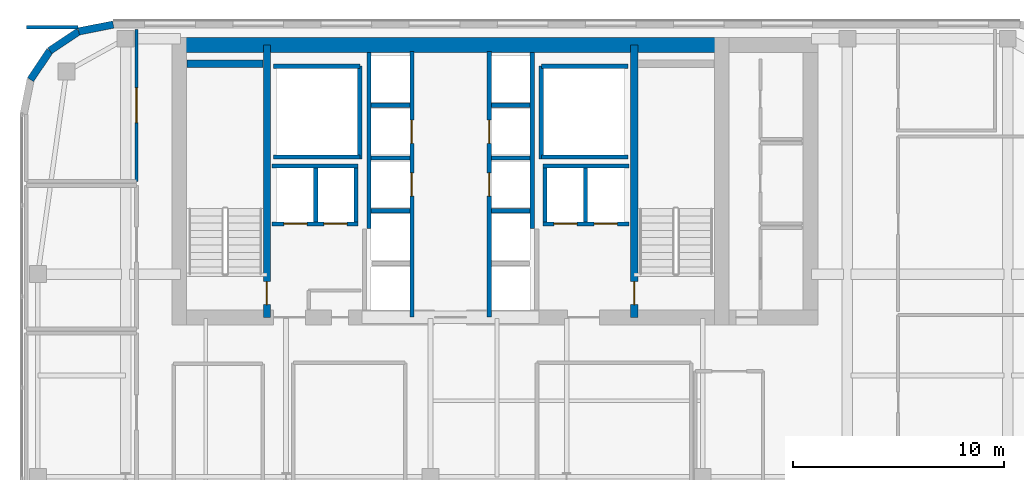
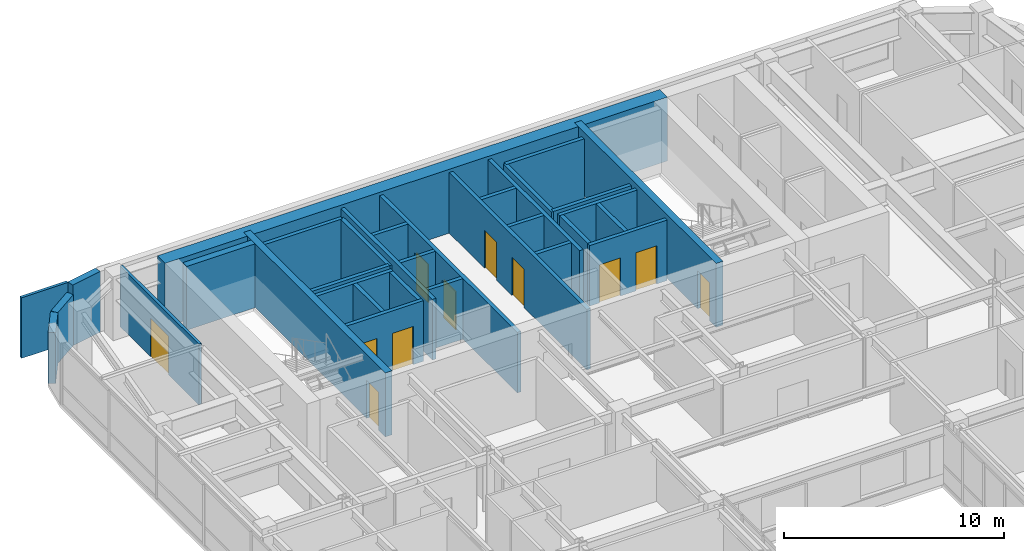
# One storey, part 21 of 28: 33 walls, 11 doors, 11 openings.
"""IFC4 building model written with IfcOpenShell, lengths in metres."""

from ifc_helpers import new_model, si_unit, direction, frame, frame_2d, origin, place, context, subcontext, project, spatial, rectangle, extrude, source, transform, mapped, material, layer, layer_set, type_object, type_shapes, element, fill, save


model = new_model("IFC4")

# Units and contexts
model_context = context("Model", 3, precision=1e-05, world=origin(), true_north=direction((0.0, 1.0)))
body_context = subcontext(model_context, "Body", "Model", "MODEL_VIEW")
ifc_project = project(units=[si_unit("LENGTHUNIT", "METRE"), si_unit("AREAUNIT", "SQUARE_METRE"), si_unit("VOLUMEUNIT", "CUBIC_METRE"), si_unit("PLANEANGLEUNIT", "RADIAN"), si_unit("MASSUNIT", "GRAM", prefix="KILO")], contexts=[model_context])

# Site, building, storey
site_placement = place(None, origin())
site = spatial("IfcSite", under=ifc_project, at=site_placement, CompositionType="ELEMENT")
building_placement = place(site_placement, origin())
building = spatial("IfcBuilding", under=site, at=building_placement, Name="Tolvann Quenvar Hotel", CompositionType="ELEMENT")
storey_placement = place(building_placement, frame((0.0, 0.0, 198.199951171875)))
storey = spatial("IfcBuildingStorey", under=building, at=storey_placement, Name="L52", CompositionType="ELEMENT", Elevation=198.199951171875)

# Wall
ifc_material_1 = material(Name="Concrete S65 (65 MPa)", Category="concrete")
ifc_layer_1 = layer(ifc_material_1, 0.699951171875)
ifc_layer_set_1 = layer_set([ifc_layer_1], Name="Concrete S65 (65 MPa)")
wall_type_1 = type_object("IfcWallType", Name="WALL_CORE_700", PredefinedType="SHEAR", material=ifc_layer_set_1)
wall_1_placement = place(storey_placement, frame((9.800048828125, 44.85009765625, 0.0), z_axis=(0.0, 0.0, 1.0), x_axis=(1.0, 0.0, 0.0)))
element("IfcWall", 1, at=wall_1_placement, inside=storey, type_object=wall_type_1, Name="Rear Core N Shear Wall (L52)", PredefinedType="SHEAR", context=body_context, shape_type="SweptSolid", body=[
    extrude(rectangle(XDim=26.39990234375, YDim=0.699951171875, at=frame_2d((13.199951171875, 0.0))), origin(), (0.0, 0.0, 1.0), 3.550048828125),
])

# Wall, opening, door
ifc_layer_2 = layer(ifc_material_1, 0.35009765625)
ifc_layer_set_2 = layer_set([ifc_layer_2], Name="Concrete S65 (65 MPa)")
wall_type_2 = type_object("IfcWallType", Name="WALL_CORE_INT_350", PredefinedType="SHEAR", material=ifc_layer_set_2)
wall_2_placement = place(storey_placement, frame((14.300048828125, 31.949951171875, 0.0), z_axis=(0.0, 0.0, 1.0), x_axis=(0.0, 1.0, 0.0)))
wall_2 = element("IfcWall", 2, at=wall_2_placement, inside=storey, type_object=wall_type_2, Name="Core Internal Web Shear Wall WEB-W (L52)", PredefinedType="SHEAR", context=body_context, shape_type="SweptSolid", body=[
    extrude(rectangle(XDim=12.900146484375, YDim=0.35009765625, at=frame_2d((6.4501953125, 0.0))), origin(), (0.0, 0.0, 1.0), 3.550048828125),
])
opening_1_placement = place(wall_2_placement, frame((0.60009765625, 0.0, 0.0)))
opening_1 = element("IfcOpeningElement", 3, at=opening_1_placement, cuts=wall_2, Name="Opening FD-120", PredefinedType="OPENING", context=body_context, shape_type="SweptSolid", body=[
    extrude(rectangle(XDim=1.10009765625, YDim=2.1201171875, at=frame_2d((0.550048828125, 1.06005859375))), frame((0.0, 0.18505859375, 0.0), z_axis=(0.0, -1.0, 0.0), x_axis=(1.0, 0.0, 0.0)), (0.0, 0.0, 1.0), 0.3701171875),
])
ifc_material_2 = material(Name="Pressed galvanised steel fire-rated door set", Category="steel")
door_type_1 = type_object("IfcDoorType", Name="DOOR_FIRE_STAIR_1100", OperationType="NOTDEFINED", PredefinedType="DOOR", material=ifc_material_2)
shared_shape_1 = source(origin(), body_context, "Body", "SweptSolid", [
    extrude(rectangle(XDim=1.10009765625, YDim=2.1201171875, at=frame_2d((0.550048828125, 1.06005859375))), frame((0.0, 0.02490234375, 0.0), z_axis=(0.0, -1.0, 0.0), x_axis=(1.0, 0.0, 0.0)), (0.0, 0.0, 1.0), 0.050048828125),
])
type_shapes(door_type_1, [shared_shape_1])
door_1_placement = place(opening_1_placement, origin())
door_1 = element("IfcDoor", 4, at=door_1_placement, inside=storey, type_object=door_type_1, Name="Exit Stair ST-C1 Fire Door (L52)", OperationType="SINGLE_SWING_RIGHT", OverallHeight=2.1201171875, OverallWidth=1.10009765625, PredefinedType="DOOR", context=body_context, shape_type="MappedRepresentation", body=[
    mapped(shared_shape_1, transform((0.0, 0.0, 0.0), x_axis=(1.0, 0.0, 0.0), y_axis=(0.0, 1.0, 0.0), z_axis=(0.0, 0.0, 1.0), scale=1.0)),
])
fill(opening_1, door_1)

wall_3_placement = place(storey_placement, frame((31.699951171875, 31.949951171875, 0.0), z_axis=(0.0, 0.0, 1.0), x_axis=(0.0, 1.0, 0.0)))
wall_3 = element("IfcWall", 5, at=wall_3_placement, inside=storey, type_object=wall_type_2, Name="Core Internal Web Shear Wall WEB-E (L52)", PredefinedType="SHEAR", context=body_context, shape_type="SweptSolid", body=[
    extrude(rectangle(XDim=12.900146484375, YDim=0.35009765625, at=frame_2d((6.4501953125, 0.0))), origin(), (0.0, 0.0, 1.0), 3.550048828125),
])
opening_2_placement = place(wall_3_placement, frame((1.7001953125, 0.0, 0.0), z_axis=(0.0, 0.0, 1.0), x_axis=(-1.0, 0.0, 0.0)))
opening_2 = element("IfcOpeningElement", 6, at=opening_2_placement, cuts=wall_3, Name="Opening FD-120", PredefinedType="OPENING", context=body_context, shape_type="SweptSolid", body=[
    extrude(rectangle(XDim=1.10009765625, YDim=2.1201171875, at=frame_2d((0.550048828125, 1.06005859375))), frame((0.0, 0.18505859375, 0.0), z_axis=(0.0, -1.0, 0.0), x_axis=(1.0, 0.0, 0.0)), (0.0, 0.0, 1.0), 0.3701171875),
])
door_2_placement = place(opening_2_placement, origin())
door_2 = element("IfcDoor", 7, at=door_2_placement, inside=storey, type_object=door_type_1, Name="Exit Stair ST-C2 Fire Door (L52)", OperationType="SINGLE_SWING_LEFT", OverallHeight=2.1201171875, OverallWidth=1.10009765625, PredefinedType="DOOR", context=body_context, shape_type="MappedRepresentation", body=[
    mapped(shared_shape_1, transform((0.0, 0.0, 0.0), x_axis=(1.0, 0.0, 0.0), y_axis=(0.0, 1.0, 0.0), z_axis=(0.0, 0.0, 1.0), scale=1.0)),
])
fill(opening_2, door_2)

# Walls
wall_4_placement = place(storey_placement, frame((10.52001953125, 43.97509765625, 0.0), z_axis=(0.0, 0.0, 1.0), x_axis=(1.0, 0.0, 0.0)))
element("IfcWall", 8, at=wall_4_placement, inside=storey, type_object=wall_type_2, Name="Core Stair North Closing Shear Wall STC1-N (L52)", PredefinedType="SHEAR", context=body_context, shape_type="SweptSolid", body=[
    extrude(rectangle(XDim=3.60009765625, YDim=0.35009765625, at=frame_2d((1.800048828125, 0.0))), origin(), (0.0, 0.0, 1.0), 3.550048828125),
])
ifc_material_3 = material(Name="Kiln-fired red and buff architectural clay brickwork and terracotta masonry", Category="masonry")
ifc_layer_3 = layer(ifc_material_3, 0.35009765625)
ifc_layer_set_3 = layer_set([ifc_layer_3], Name="Kiln-fired red and buff architectural clay brickwork and terracotta masonry")
wall_type_3 = type_object("IfcWallType", Name="WALL_EXT_BRICK_350", PredefinedType="SOLIDWALL", material=ifc_layer_set_3)
wall_5_placement = place(storey_placement, frame((7.01708984375, 45.824951171875, 0.0), z_axis=(0.0, 0.0, 1.0), x_axis=(-0.980788844421, -0.195072403631, 0.0)))
element("IfcWall", 9, at=wall_5_placement, inside=storey, type_object=wall_type_3, Name="Exterior Chicago Brick Wall L52-E19", PredefinedType="SOLIDWALL", context=body_context, shape_type="SweptSolid", body=[
    extrude(rectangle(XDim=1.66455078125, YDim=0.35009765625, at=frame_2d((0.832275390625, 0.0))), origin(), (0.0, 0.0, 1.0), 3.3701171875),
])
for number, where, z_axis, x_axis, name in (
    (10, (5.384521484375, 45.500244140625, 0.0), (0.0, 0.0, 1.0), (-0.831502623162, -0.555520825599, 0.0), "Exterior Chicago Brick Wall L52-E20"),
    (11, (4.014892578125, 44.585205078125, 0.0), (0.0, 0.0, 1.0), (-0.555623290322, -0.831434158098, 0.0), "Exterior Chicago Brick Wall L52-E21"),
):
    element("IfcWall", number, at=place(storey_placement, frame(where, z_axis=z_axis, x_axis=x_axis)), inside=storey, type_object=wall_type_3, Name=name, PredefinedType="SOLIDWALL", context=body_context, shape_type="SweptSolid", body=[
        extrude(rectangle(XDim=1.647216796875, YDim=0.35009765625, at=frame_2d((0.82373046875, 0.0))), origin(), (0.0, 0.0, 1.0), 2.83203125),
    ])
ifc_material_4 = material(Name="Acoustic twin-stud fire-rated gypsum plasterboard partition")
ifc_layer_4 = layer(ifc_material_4, 0.14990234375)
ifc_layer_set_4 = layer_set([ifc_layer_4], Name="Acoustic twin-stud fire-rated gypsum plasterboard partition")
wall_type_4 = type_object("IfcWallType", Name="WALL_PART_SUITE_150", PredefinedType="PARTITIONING", material=ifc_layer_set_4)
wall_6_placement = place(storey_placement, frame((2.89990234375, 45.699951171875, 0.0), z_axis=(0.0, 0.0, 1.0), x_axis=(1.0, 0.0, 0.0)))
element("IfcWall", 12, at=wall_6_placement, inside=storey, type_object=wall_type_4, Name="Interior Partition PT-SPC-L52-TEA-N", PredefinedType="PARTITIONING", context=body_context, shape_type="SweptSolid", body=[
    extrude(rectangle(XDim=2.445068359375, YDim=0.14990234375, at=frame_2d((1.22265625, 0.0))), origin(), (0.0, 0.0, 1.0), 3.3701171875),
])

# Wall, opening, door
wall_7_placement = place(storey_placement, frame((8.1201171875, 38.39990234375, 0.0), z_axis=(0.0, 0.0, 1.0), x_axis=(0.0, 1.0, 0.0)))
wall_7 = element("IfcWall", 13, at=wall_7_placement, inside=storey, type_object=wall_type_4, Name="Interior Partition PT-SPC-L52-TEA-E", PredefinedType="PARTITIONING", context=body_context, shape_type="SweptSolid", body=[
    extrude(rectangle(XDim=7.195068359375, YDim=0.14990234375, at=frame_2d((3.59765625, 0.0))), origin(), (0.0, 0.0, 1.0), 3.3701171875),
])
opening_3_placement = place(wall_7_placement, frame((2.7724609375, 0.0, 0.0)))
opening_3 = element("IfcOpeningElement", 14, at=opening_3_placement, cuts=wall_7, Name="Opening AD-01", PredefinedType="OPENING", context=body_context, shape_type="SweptSolid", body=[
    extrude(rectangle(XDim=1.64990234375, YDim=2.14990234375, at=frame_2d((0.824951171875, 1.074951171875))), frame((0.0, 0.0849609375, 0.0), z_axis=(0.0, -1.0, 0.0), x_axis=(1.0, 0.0, 0.0)), (0.0, 0.0, 1.0), 0.169921875),
])
ifc_material_5 = material(Name="Solid-core American oak acoustic fire door leaf in steel frame", Category="steel")
door_type_2 = type_object("IfcDoorType", Name="DOOR_SALON_1650", OperationType="NOTDEFINED", PredefinedType="DOOR", material=ifc_material_5)
shared_shape_2 = source(origin(), body_context, "Body", "SweptSolid", [
    extrude(rectangle(XDim=1.64990234375, YDim=2.14990234375, at=frame_2d((0.824951171875, 1.074951171875))), frame((0.0, 0.02490234375, 0.0), z_axis=(0.0, -1.0, 0.0), x_axis=(1.0, 0.0, 0.0)), (0.0, 0.0, 1.0), 0.050048828125),
])
type_shapes(door_type_2, [shared_shape_2])
door_3_placement = place(opening_3_placement, origin())
door_3 = element("IfcDoor", 15, at=door_3_placement, inside=storey, type_object=door_type_2, Name="Interior Door DOOR-SPC-L52-TEA", OperationType="DOUBLE_DOOR_SINGLE_SWING", OverallHeight=2.14990234375, OverallWidth=1.64990234375, PredefinedType="DOOR", context=body_context, shape_type="MappedRepresentation", body=[
    mapped(shared_shape_2, transform((0.0, 0.0, 0.0), x_axis=(1.0, 0.0, 0.0), y_axis=(0.0, 1.0, 0.0), z_axis=(0.0, 0.0, 1.0), scale=1.0)),
])
fill(opening_3, door_3)

# Walls
ifc_material_6 = material(Name="Concrete N40 (40 MPa)", Category="concrete")
ifc_layer_5 = layer(ifc_material_6, 0.199951171875)
ifc_layer_set_5 = layer_set([ifc_layer_5], Name="Concrete N40 (40 MPa)")
wall_type_5 = type_object("IfcWallType", Name="WALL_SHAFT_200", PredefinedType="SOLIDWALL", material=ifc_layer_set_5)
wall_8_placement = place(storey_placement, frame((18.699951171875, 39.449951171875, 0.0), z_axis=(0.0, 0.0, 1.0), x_axis=(0.0, 1.0, 0.0)))
element("IfcWall", 16, at=wall_8_placement, inside=storey, type_object=wall_type_5, Name="Service Riser W Shaft Wall IN (L52)", PredefinedType="SOLIDWALL", context=body_context, shape_type="SweptSolid", body=[
    extrude(rectangle(XDim=4.400146484375, YDim=0.199951171875, at=frame_2d((2.2001953125, 0.0))), origin(), (0.0, 0.0, 1.0), 3.3701171875),
])
for number, where, z_axis, x_axis, name in (
    (17, (14.60009765625, 39.550048828125, 0.0), (0.0, 0.0, 1.0), (1.0, 0.0, 0.0), "Service Riser W Shaft Wall S (L52)"),
    (18, (14.60009765625, 43.85009765625, 0.0), (0.0, 0.0, 1.0), (1.0, 0.0, 0.0), "Service Riser W Shaft Wall N (L52)"),
):
    element("IfcWall", number, at=place(storey_placement, frame(where, z_axis=z_axis, x_axis=x_axis)), inside=storey, type_object=wall_type_5, Name=name, PredefinedType="SOLIDWALL", context=body_context, shape_type="SweptSolid", body=[
        extrude(rectangle(XDim=4.099853515625, YDim=0.199951171875, at=frame_2d((2.0498046875, 0.0))), origin(), (0.0, 0.0, 1.0), 3.3701171875),
    ])
wall_9_placement = place(storey_placement, frame((27.300048828125, 39.449951171875, 0.0), z_axis=(0.0, 0.0, 1.0), x_axis=(0.0, 1.0, 0.0)))
element("IfcWall", 19, at=wall_9_placement, inside=storey, type_object=wall_type_5, Name="Service Riser E Shaft Wall IN (L52)", PredefinedType="SOLIDWALL", context=body_context, shape_type="SweptSolid", body=[
    extrude(rectangle(XDim=4.400146484375, YDim=0.199951171875, at=frame_2d((2.2001953125, 0.0))), origin(), (0.0, 0.0, 1.0), 3.3701171875),
])
for number, where, z_axis, x_axis, name in (
    (20, (27.300048828125, 39.550048828125, 0.0), (0.0, 0.0, 1.0), (1.0, 0.0, 0.0), "Service Riser E Shaft Wall S (L52)"),
    (21, (27.300048828125, 43.85009765625, 0.0), (0.0, 0.0, 1.0), (1.0, 0.0, 0.0), "Service Riser E Shaft Wall N (L52)"),
):
    element("IfcWall", number, at=place(storey_placement, frame(where, z_axis=z_axis, x_axis=x_axis)), inside=storey, type_object=wall_type_5, Name=name, PredefinedType="SOLIDWALL", context=body_context, shape_type="SweptSolid", body=[
        extrude(rectangle(XDim=4.099853515625, YDim=0.199951171875, at=frame_2d((2.0498046875, 0.0))), origin(), (0.0, 0.0, 1.0), 3.3701171875),
    ])

# Wall, openings, doors
wall_10_placement = place(storey_placement, frame((21.169921875, 31.9599609375, 0.0), z_axis=(0.0, 0.0, 1.0), x_axis=(0.0, 1.0, 0.0)))
wall_10 = element("IfcWall", 22, at=wall_10_placement, inside=storey, type_object=wall_type_5, Name="Lift Bank E21.1C1 Hoistway Front Wall (L52)", PredefinedType="SOLIDWALL", context=body_context, shape_type="SweptSolid", body=[
    extrude(rectangle(XDim=12.580078125, YDim=0.199951171875, at=frame_2d((6.2900390625, 0.0))), origin(), (0.0, 0.0, 1.0), 3.3701171875),
])
opening_4_placement = place(wall_10_placement, frame((5.739990234375, 0.0, 0.0)))
opening_4 = element("IfcOpeningElement", 23, at=opening_4_placement, cuts=wall_10, Name="Opening LD-01", PredefinedType="OPENING", context=body_context, shape_type="SweptSolid", body=[
    extrude(rectangle(XDim=1.10009765625, YDim=2.1201171875, at=frame_2d((0.550048828125, 1.06005859375))), frame((0.0, 0.10986328125, 0.0), z_axis=(0.0, -1.0, 0.0), x_axis=(1.0, 0.0, 0.0)), (0.0, 0.0, 1.0), 0.219970703125),
])
opening_5_placement = place(wall_10_placement, frame((8.239990234375, 0.0, 0.0)))
opening_5 = element("IfcOpeningElement", 24, at=opening_5_placement, cuts=wall_10, Name="Opening LD-01", PredefinedType="OPENING", context=body_context, shape_type="SweptSolid", body=[
    extrude(rectangle(XDim=1.10009765625, YDim=2.1201171875, at=frame_2d((0.550048828125, 1.06005859375))), frame((0.0, 0.10986328125, 0.0), z_axis=(0.0, -1.0, 0.0), x_axis=(1.0, 0.0, 0.0)), (0.0, 0.0, 1.0), 0.219970703125),
])
ifc_material_7 = material(Name="Brushed 316 stainless steel automatic sliding lift landing door", Category="steel")
door_type_3 = type_object("IfcDoorType", Name="DOOR_LIFT_SLIDE_1100", OperationType="NOTDEFINED", PredefinedType="DOOR", material=ifc_material_7)
shared_shape_3 = source(origin(), body_context, "Body", "SweptSolid", [
    extrude(rectangle(XDim=1.10009765625, YDim=2.1201171875, at=frame_2d((0.550048828125, 1.06005859375))), frame((0.0, 0.02490234375, 0.0), z_axis=(0.0, -1.0, 0.0), x_axis=(1.0, 0.0, 0.0)), (0.0, 0.0, 1.0), 0.050048828125),
])
type_shapes(door_type_3, [shared_shape_3])
door_4_placement = place(opening_4_placement, origin())
door_4 = element("IfcDoor", 25, at=door_4_placement, inside=storey, type_object=door_type_3, Name="Lift PM-1 Sliding Landing Door (L52)", OperationType="SLIDING_TO_RIGHT", OverallHeight=2.1201171875, OverallWidth=1.10009765625, PredefinedType="DOOR", context=body_context, shape_type="MappedRepresentation", body=[
    mapped(shared_shape_3, transform((0.0, 0.0, 0.0), x_axis=(1.0, 0.0, 0.0), y_axis=(0.0, 1.0, 0.0), z_axis=(0.0, 0.0, 1.0), scale=1.0)),
])
fill(opening_4, door_4)
door_5_placement = place(opening_5_placement, origin())
door_5 = element("IfcDoor", 26, at=door_5_placement, inside=storey, type_object=door_type_3, Name="Lift PM-2 Sliding Landing Door (L52)", OperationType="SLIDING_TO_LEFT", OverallHeight=2.1201171875, OverallWidth=1.10009765625, PredefinedType="DOOR", context=body_context, shape_type="MappedRepresentation", body=[
    mapped(shared_shape_3, transform((0.0, 0.0, 0.0), x_axis=(1.0, 0.0, 0.0), y_axis=(0.0, 1.0, 0.0), z_axis=(0.0, 0.0, 1.0), scale=1.0)),
])
fill(opening_5, door_5)

# Walls
wall_11_placement = place(storey_placement, frame((19.1298828125, 36.159912109375, 0.0), z_axis=(0.0, 0.0, 1.0), x_axis=(0.0, 1.0, 0.0)))
element("IfcWall", 27, at=wall_11_placement, inside=storey, type_object=wall_type_5, Name="Lift Bank E21.1C1 Hoistway Rear Wall (L52)", PredefinedType="SOLIDWALL", context=body_context, shape_type="SweptSolid", body=[
    extrude(rectangle(XDim=8.336181640625, YDim=0.199951171875, at=frame_2d((4.16796875, 0.0))), origin(), (0.0, 0.0, 1.0), 3.3701171875),
])
for number, where, z_axis, x_axis, name in (
    (28, (19.22998046875, 37.0, 0.0), (0.0, 0.0, 1.0), (1.0, 0.0, 0.0), "Lift Bank E21.1C1 Divider Wall 2 (L52)"),
    (29, (19.22998046875, 39.5, 0.0), (0.0, 0.0, 1.0), (1.0, 0.0, 0.0), "Lift Bank E21.1C1 Divider Wall 3 (L52)"),
    (30, (19.22998046875, 42.0, 0.0), (0.0, 0.0, 1.0), (1.0, 0.0, 0.0), "Lift Bank E21.1C1 Divider Wall 4 (L52)"),
):
    element("IfcWall", number, at=place(storey_placement, frame(where, z_axis=z_axis, x_axis=x_axis)), inside=storey, type_object=wall_type_5, Name=name, PredefinedType="SOLIDWALL", context=body_context, shape_type="SweptSolid", body=[
        extrude(rectangle(XDim=1.840087890625, YDim=0.199951171875, at=frame_2d((0.919921875, 0.0))), origin(), (0.0, 0.0, 1.0), 3.3701171875),
    ])

# Wall, openings, doors
wall_12_placement = place(storey_placement, frame((27.375, 36.3798828125, 0.0), z_axis=(0.0, 0.0, 1.0), x_axis=(1.0, 0.0, 0.0)))
wall_12 = element("IfcWall", 31, at=wall_12_placement, inside=storey, type_object=wall_type_5, Name="Lift Bank SEC1 Hoistway Front Wall (L52)", PredefinedType="SOLIDWALL", context=body_context, shape_type="SweptSolid", body=[
    extrude(rectangle(XDim=4.074951171875, YDim=0.199951171875, at=frame_2d((2.03759765625, 0.0))), origin(), (0.0, 0.0, 1.0), 3.3701171875),
])
opening_6_placement = place(wall_12_placement, frame((0.52490234375, 0.0, 0.0)))
opening_6 = element("IfcOpeningElement", 32, at=opening_6_placement, cuts=wall_12, Name="Opening LD-01", PredefinedType="OPENING", context=body_context, shape_type="SweptSolid", body=[
    extrude(rectangle(XDim=1.10009765625, YDim=2.1201171875, at=frame_2d((0.550048828125, 1.06005859375))), frame((0.0, 0.10986328125, 0.0), z_axis=(0.0, -1.0, 0.0), x_axis=(1.0, 0.0, 0.0)), (0.0, 0.0, 1.0), 0.219970703125),
])
opening_7_placement = place(wall_12_placement, frame((2.425048828125, 0.0, 0.0)))
opening_7 = element("IfcOpeningElement", 33, at=opening_7_placement, cuts=wall_12, Name="Opening LD-01", PredefinedType="OPENING", context=body_context, shape_type="SweptSolid", body=[
    extrude(rectangle(XDim=1.10009765625, YDim=2.1201171875, at=frame_2d((0.550048828125, 1.06005859375))), frame((0.0, 0.10986328125, 0.0), z_axis=(0.0, -1.0, 0.0), x_axis=(1.0, 0.0, 0.0)), (0.0, 0.0, 1.0), 0.219970703125),
])
door_6_placement = place(opening_6_placement, origin())
door_6 = element("IfcDoor", 34, at=door_6_placement, inside=storey, type_object=door_type_3, Name="Lift SV-2 Sliding Landing Door (L52)", OperationType="SLIDING_TO_LEFT", OverallHeight=2.1201171875, OverallWidth=1.10009765625, PredefinedType="DOOR", context=body_context, shape_type="MappedRepresentation", body=[
    mapped(shared_shape_3, transform((0.0, 0.0, 0.0), x_axis=(1.0, 0.0, 0.0), y_axis=(0.0, 1.0, 0.0), z_axis=(0.0, 0.0, 1.0), scale=1.0)),
])
fill(opening_6, door_6)
door_7_placement = place(opening_7_placement, origin())
door_7 = element("IfcDoor", 35, at=door_7_placement, inside=storey, type_object=door_type_3, Name="Lift FF-2 Sliding Landing Door (L52)", OperationType="SLIDING_TO_RIGHT", OverallHeight=2.1201171875, OverallWidth=1.10009765625, PredefinedType="DOOR", context=body_context, shape_type="MappedRepresentation", body=[
    mapped(shared_shape_3, transform((0.0, 0.0, 0.0), x_axis=(1.0, 0.0, 0.0), y_axis=(0.0, 1.0, 0.0), z_axis=(0.0, 0.0, 1.0), scale=1.0)),
])
fill(opening_7, door_7)

# Walls
wall_13_placement = place(storey_placement, frame((27.375, 39.1201171875, 0.0), z_axis=(0.0, 0.0, 1.0), x_axis=(1.0, 0.0, 0.0)))
element("IfcWall", 36, at=wall_13_placement, inside=storey, type_object=wall_type_5, Name="Lift Bank SEC1 Hoistway Rear Wall (L52)", PredefinedType="SOLIDWALL", context=body_context, shape_type="SweptSolid", body=[
    extrude(rectangle(XDim=4.074951171875, YDim=0.199951171875, at=frame_2d((2.03759765625, 0.0))), origin(), (0.0, 0.0, 1.0), 3.3701171875),
])
for number, where, z_axis, x_axis, name in (
    (37, (27.47509765625, 36.47998046875, 0.0), (0.0, 0.0, 1.0), (0.0, 1.0, 0.0), "Lift Bank SEC1 Hoistway Cheek Wall 1 (L52)"),
    (38, (29.387451171875, 36.47998046875, 0.0), (0.0, 0.0, 1.0), (0.0, 1.0, 0.0), "Lift Bank SEC1 Divider Wall 1 (L52)"),
):
    element("IfcWall", number, at=place(storey_placement, frame(where, z_axis=z_axis, x_axis=x_axis)), inside=storey, type_object=wall_type_5, Name=name, PredefinedType="SOLIDWALL", context=body_context, shape_type="SweptSolid", body=[
        extrude(rectangle(XDim=2.5400390625, YDim=0.199951171875, at=frame_2d((1.27001953125, 0.0))), origin(), (0.0, 0.0, 1.0), 3.3701171875),
    ])

# Wall, openings, doors
wall_14_placement = place(storey_placement, frame((14.550048828125, 36.3798828125, 0.0), z_axis=(0.0, 0.0, 1.0), x_axis=(1.0, 0.0, 0.0)))
wall_14 = element("IfcWall", 39, at=wall_14_placement, inside=storey, type_object=wall_type_5, Name="Lift Bank SWC1 Hoistway Front Wall (L52)", PredefinedType="SOLIDWALL", context=body_context, shape_type="SweptSolid", body=[
    extrude(rectangle(XDim=4.074951171875, YDim=0.199951171875, at=frame_2d((2.03759765625, 0.0))), origin(), (0.0, 0.0, 1.0), 3.3701171875),
])
opening_8_placement = place(wall_14_placement, frame((0.550048828125, 0.0, 0.0)))
opening_8 = element("IfcOpeningElement", 40, at=opening_8_placement, cuts=wall_14, Name="Opening LD-01", PredefinedType="OPENING", context=body_context, shape_type="SweptSolid", body=[
    extrude(rectangle(XDim=1.10009765625, YDim=2.1201171875, at=frame_2d((0.550048828125, 1.06005859375))), frame((0.0, 0.10986328125, 0.0), z_axis=(0.0, -1.0, 0.0), x_axis=(1.0, 0.0, 0.0)), (0.0, 0.0, 1.0), 0.219970703125),
])
opening_9_placement = place(wall_14_placement, frame((2.449951171875, 0.0, 0.0)))
opening_9 = element("IfcOpeningElement", 41, at=opening_9_placement, cuts=wall_14, Name="Opening LD-01", PredefinedType="OPENING", context=body_context, shape_type="SweptSolid", body=[
    extrude(rectangle(XDim=1.10009765625, YDim=2.1201171875, at=frame_2d((0.550048828125, 1.06005859375))), frame((0.0, 0.10986328125, 0.0), z_axis=(0.0, -1.0, 0.0), x_axis=(1.0, 0.0, 0.0)), (0.0, 0.0, 1.0), 0.219970703125),
])
door_8_placement = place(opening_8_placement, origin())
door_8 = element("IfcDoor", 42, at=door_8_placement, inside=storey, type_object=door_type_3, Name="Lift FF-1 Sliding Landing Door (L52)", OperationType="SLIDING_TO_LEFT", OverallHeight=2.1201171875, OverallWidth=1.10009765625, PredefinedType="DOOR", context=body_context, shape_type="MappedRepresentation", body=[
    mapped(shared_shape_3, transform((0.0, 0.0, 0.0), x_axis=(1.0, 0.0, 0.0), y_axis=(0.0, 1.0, 0.0), z_axis=(0.0, 0.0, 1.0), scale=1.0)),
])
fill(opening_8, door_8)
door_9_placement = place(opening_9_placement, origin())
door_9 = element("IfcDoor", 43, at=door_9_placement, inside=storey, type_object=door_type_3, Name="Lift SV-1 Sliding Landing Door (L52)", OperationType="SLIDING_TO_RIGHT", OverallHeight=2.1201171875, OverallWidth=1.10009765625, PredefinedType="DOOR", context=body_context, shape_type="MappedRepresentation", body=[
    mapped(shared_shape_3, transform((0.0, 0.0, 0.0), x_axis=(1.0, 0.0, 0.0), y_axis=(0.0, 1.0, 0.0), z_axis=(0.0, 0.0, 1.0), scale=1.0)),
])
fill(opening_9, door_9)

# Walls
wall_15_placement = place(storey_placement, frame((14.550048828125, 39.1201171875, 0.0), z_axis=(0.0, 0.0, 1.0), x_axis=(1.0, 0.0, 0.0)))
element("IfcWall", 44, at=wall_15_placement, inside=storey, type_object=wall_type_5, Name="Lift Bank SWC1 Hoistway Rear Wall (L52)", PredefinedType="SOLIDWALL", context=body_context, shape_type="SweptSolid", body=[
    extrude(rectangle(XDim=4.074951171875, YDim=0.199951171875, at=frame_2d((2.03759765625, 0.0))), origin(), (0.0, 0.0, 1.0), 3.3701171875),
])
for number, where, z_axis, x_axis, name in (
    (45, (18.52490234375, 36.47998046875, 0.0), (0.0, 0.0, 1.0), (0.0, 1.0, 0.0), "Lift Bank SWC1 Hoistway Cheek Wall 2 (L52)"),
    (46, (16.612548828125, 36.47998046875, 0.0), (0.0, 0.0, 1.0), (0.0, 1.0, 0.0), "Lift Bank SWC1 Divider Wall 1 (L52)"),
):
    element("IfcWall", number, at=place(storey_placement, frame(where, z_axis=z_axis, x_axis=x_axis)), inside=storey, type_object=wall_type_5, Name=name, PredefinedType="SOLIDWALL", context=body_context, shape_type="SweptSolid", body=[
        extrude(rectangle(XDim=2.5400390625, YDim=0.199951171875, at=frame_2d((1.27001953125, 0.0))), origin(), (0.0, 0.0, 1.0), 3.3701171875),
    ])

# Wall, openings, doors
wall_16_placement = place(storey_placement, frame((24.830078125, 31.9599609375, 0.0), z_axis=(0.0, 0.0, 1.0), x_axis=(0.0, 1.0, 0.0)))
wall_16 = element("IfcWall", 47, at=wall_16_placement, inside=storey, type_object=wall_type_5, Name="Lift Bank W24.9C1 Hoistway Front Wall (L52)", PredefinedType="SOLIDWALL", context=body_context, shape_type="SweptSolid", body=[
    extrude(rectangle(XDim=12.580078125, YDim=0.199951171875, at=frame_2d((6.2900390625, 0.0))), origin(), (0.0, 0.0, 1.0), 3.3701171875),
])
opening_10_placement = place(wall_16_placement, frame((5.739990234375, 0.0, 0.0)))
opening_10 = element("IfcOpeningElement", 48, at=opening_10_placement, cuts=wall_16, Name="Opening LD-01", PredefinedType="OPENING", context=body_context, shape_type="SweptSolid", body=[
    extrude(rectangle(XDim=1.10009765625, YDim=2.1201171875, at=frame_2d((0.550048828125, 1.06005859375))), frame((0.0, 0.10986328125, 0.0), z_axis=(0.0, -1.0, 0.0), x_axis=(1.0, 0.0, 0.0)), (0.0, 0.0, 1.0), 0.219970703125),
])
opening_11_placement = place(wall_16_placement, frame((8.239990234375, 0.0, 0.0)))
opening_11 = element("IfcOpeningElement", 49, at=opening_11_placement, cuts=wall_16, Name="Opening LD-01", PredefinedType="OPENING", context=body_context, shape_type="SweptSolid", body=[
    extrude(rectangle(XDim=1.10009765625, YDim=2.1201171875, at=frame_2d((0.550048828125, 1.06005859375))), frame((0.0, 0.10986328125, 0.0), z_axis=(0.0, -1.0, 0.0), x_axis=(1.0, 0.0, 0.0)), (0.0, 0.0, 1.0), 0.219970703125),
])
door_10_placement = place(opening_10_placement, origin())
door_10 = element("IfcDoor", 50, at=door_10_placement, inside=storey, type_object=door_type_3, Name="Lift PM-3 Sliding Landing Door (L52)", OperationType="SLIDING_TO_RIGHT", OverallHeight=2.1201171875, OverallWidth=1.10009765625, PredefinedType="DOOR", context=body_context, shape_type="MappedRepresentation", body=[
    mapped(shared_shape_3, transform((0.0, 0.0, 0.0), x_axis=(1.0, 0.0, 0.0), y_axis=(0.0, 1.0, 0.0), z_axis=(0.0, 0.0, 1.0), scale=1.0)),
])
fill(opening_10, door_10)
door_11_placement = place(opening_11_placement, origin())
door_11 = element("IfcDoor", 51, at=door_11_placement, inside=storey, type_object=door_type_3, Name="Lift PM-4 Sliding Landing Door (L52)", OperationType="SLIDING_TO_LEFT", OverallHeight=2.1201171875, OverallWidth=1.10009765625, PredefinedType="DOOR", context=body_context, shape_type="MappedRepresentation", body=[
    mapped(shared_shape_3, transform((0.0, 0.0, 0.0), x_axis=(1.0, 0.0, 0.0), y_axis=(0.0, 1.0, 0.0), z_axis=(0.0, 0.0, 1.0), scale=1.0)),
])
fill(opening_11, door_11)

# Walls
wall_17_placement = place(storey_placement, frame((26.8701171875, 36.159912109375, 0.0), z_axis=(0.0, 0.0, 1.0), x_axis=(0.0, 1.0, 0.0)))
element("IfcWall", 52, at=wall_17_placement, inside=storey, type_object=wall_type_5, Name="Lift Bank W24.9C1 Hoistway Rear Wall (L52)", PredefinedType="SOLIDWALL", context=body_context, shape_type="SweptSolid", body=[
    extrude(rectangle(XDim=8.336181640625, YDim=0.199951171875, at=frame_2d((4.16796875, 0.0))), origin(), (0.0, 0.0, 1.0), 3.3701171875),
])
for number, where, z_axis, x_axis, name in (
    (53, (24.929931640625, 37.0, 0.0), (0.0, 0.0, 1.0), (1.0, 0.0, 0.0), "Lift Bank W24.9C1 Divider Wall 2 (L52)"),
    (54, (24.929931640625, 39.5, 0.0), (0.0, 0.0, 1.0), (1.0, 0.0, 0.0), "Lift Bank W24.9C1 Divider Wall 3 (L52)"),
    (55, (24.929931640625, 42.0, 0.0), (0.0, 0.0, 1.0), (1.0, 0.0, 0.0), "Lift Bank W24.9C1 Divider Wall 4 (L52)"),
):
    element("IfcWall", number, at=place(storey_placement, frame(where, z_axis=z_axis, x_axis=x_axis)), inside=storey, type_object=wall_type_5, Name=name, PredefinedType="SOLIDWALL", context=body_context, shape_type="SweptSolid", body=[
        extrude(rectangle(XDim=1.840087890625, YDim=0.199951171875, at=frame_2d((0.919921875, 0.0))), origin(), (0.0, 0.0, 1.0), 3.3701171875),
    ])

save(model, "model.ifc")
